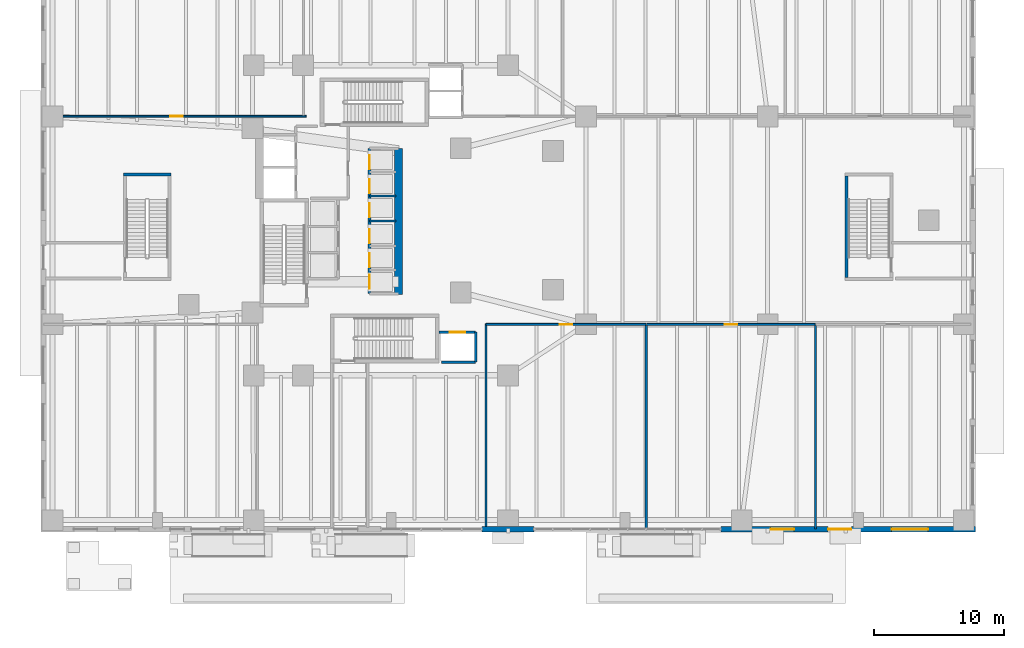
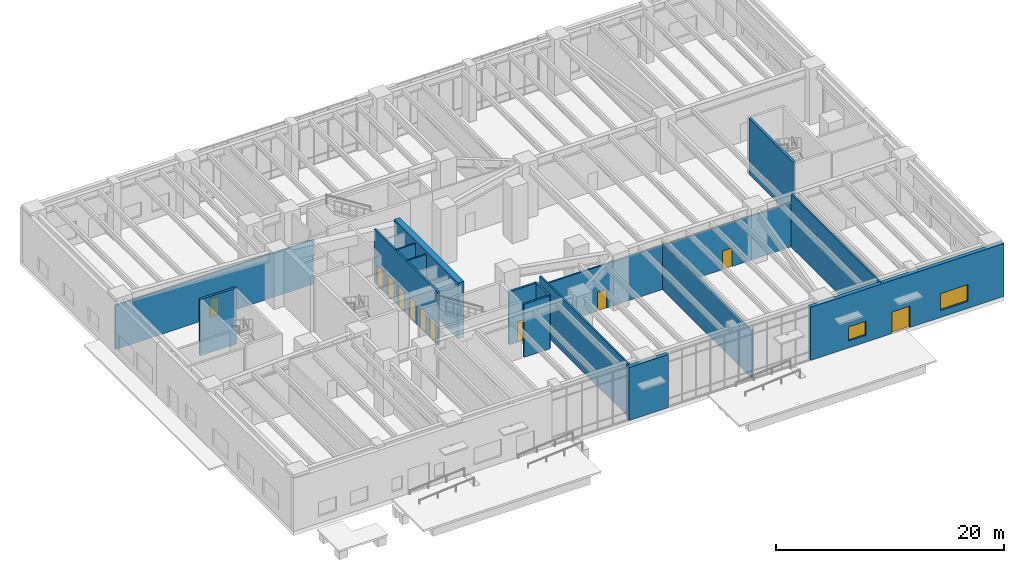
# One storey, part 20 of 28: 17 walls, 11 doors, 2 windows, 13 openings.
"""IFC4 building model written with IfcOpenShell, lengths in metres."""

from ifc_helpers import new_model, si_unit, direction, frame, frame_2d, origin, place, context, subcontext, project, spatial, rectangle, extrude, material, layer, layer_set, type_object, element, fill, save


model = new_model("IFC4")

# Units and contexts
model_context = context("Model", 3, precision=1e-05, world=origin(), true_north=direction((0.0, 1.0)))
body_context = subcontext(model_context, "Body", "Model", "MODEL_VIEW")
ifc_project = project(units=[si_unit("LENGTHUNIT", "METRE"), si_unit("AREAUNIT", "SQUARE_METRE"), si_unit("VOLUMEUNIT", "CUBIC_METRE"), si_unit("PLANEANGLEUNIT", "RADIAN"), si_unit("MASSUNIT", "GRAM", prefix="KILO"), si_unit("THERMODYNAMICTEMPERATUREUNIT", "KELVIN"), si_unit("POWERUNIT", "WATT")], contexts=[model_context])

# Site, building, storey
site_placement = place(None, origin())
site = spatial("IfcSite", under=ifc_project, at=site_placement, CompositionType="ELEMENT")
building_placement = place(site_placement, origin())
building = spatial("IfcBuilding", under=site, at=building_placement, Name="Skarre Station Tower", CompositionType="ELEMENT")
storey_placement = place(building_placement, origin())
storey = spatial("IfcBuildingStorey", under=building, at=storey_placement, Name="L01", CompositionType="ELEMENT", Elevation=0.0)

# Wall, opening, door
ifc_material_1 = material(Name="Acoustic Steel-Stud Gypsum Partition", Category="steel")
ifc_layer_1 = layer(ifc_material_1, 0.14990234375, Name="Acoustic Steel-Stud Gypsum Partition")
ifc_layer_set_1 = layer_set([ifc_layer_1], Name="Acoustic Steel-Stud Gypsum Partition")
wall_type_1 = type_object("IfcWallType", Name="Fire-Rated Corridor Acoustic Partition 150", PredefinedType="PARTITIONING", material=ifc_layer_set_1)
wall_1_placement = place(storey_placement, frame((34.300048828125, 15.97998046875, 0.0), z_axis=(0.0, 0.0, 1.0), x_axis=(1.0, 0.0, 0.0)))
wall_1 = element("IfcWall", 1, at=wall_1_placement, inside=storey, type_object=wall_type_1, Name="L01 Interior Partition WL-PT-L01-PDSE1-CW", PredefinedType="PARTITIONING", context=body_context, shape_type="SweptSolid", body=[
    extrude(rectangle(XDim=12.31201171875, YDim=0.14990234375, at=frame_2d((6.156005859375, 0.0))), origin(), (0.0, 0.0, 1.0), 4.741943359375),
])
opening_1_placement = place(wall_1_placement, frame((5.676025390625, 0.0, 0.0)))
opening_1 = element("IfcOpeningElement", 2, at=opening_1_placement, cuts=wall_1, Name="Opening DR-FD60", PredefinedType="OPENING", context=body_context, shape_type="SweptSolid", body=[
    extrude(rectangle(XDim=0.9599609375, YDim=2.0, at=frame_2d((0.47998046875, 1.0))), frame((0.0, 0.0849609375, 0.0), z_axis=(0.0, -1.0, 0.0), x_axis=(1.0, 0.0, 0.0)), (0.0, 0.0, 1.0), 0.169921875),
])
ifc_material_2 = material(Name="Nordic White-Oak Veneer Solid-Core Fire Leaf", Category="wood")
door_type_1 = type_object("IfcDoorType", Name="Corridor Suite Entry Fire Door FD60 960x2150", OperationType="SINGLE_SWING_LEFT", PredefinedType="DOOR", material=ifc_material_2)
door_1_placement = place(opening_1_placement, origin())
door_1 = element("IfcDoor", 3, at=door_1_placement, inside=storey, type_object=door_type_1, Name="L01 PDSE1 Entry Door", OperationType="SINGLE_SWING_LEFT", OverallHeight=2.0, OverallWidth=0.9599609375, PredefinedType="DOOR", context=body_context, shape_type="SweptSolid", body=[
    extrude(rectangle(XDim=0.9599609375, YDim=2.0, at=frame_2d((0.47998046875, 1.0))), frame((0.0, 0.02490234375, 0.0), z_axis=(0.0, -1.0, 0.0), x_axis=(1.0, 0.0, 0.0)), (0.0, 0.0, 1.0), 0.050048828125),
])
fill(opening_1, door_1)

wall_2_placement = place(storey_placement, frame((46.6640625, 15.97998046875, 0.0), z_axis=(0.0, 0.0, 1.0), x_axis=(1.0, 0.0, 0.0)))
wall_2 = element("IfcWall", 4, at=wall_2_placement, inside=storey, type_object=wall_type_1, Name="L01 Interior Partition WL-PT-L01-PDSE2-CW", PredefinedType="PARTITIONING", context=body_context, shape_type="SweptSolid", body=[
    extrude(rectangle(XDim=12.988037109375, YDim=0.14990234375, at=frame_2d((6.494140625, 0.0))), origin(), (0.0, 0.0, 1.0), 4.741943359375),
])
opening_2_placement = place(wall_2_placement, frame((6.013916015625, 0.0, 0.0)))
opening_2 = element("IfcOpeningElement", 5, at=opening_2_placement, cuts=wall_2, Name="Opening DR-FD60", PredefinedType="OPENING", context=body_context, shape_type="SweptSolid", body=[
    extrude(rectangle(XDim=0.9599609375, YDim=2.0, at=frame_2d((0.47998046875, 1.0))), frame((0.0, 0.0849609375, 0.0), z_axis=(0.0, -1.0, 0.0), x_axis=(1.0, 0.0, 0.0)), (0.0, 0.0, 1.0), 0.169921875),
])
door_2_placement = place(opening_2_placement, origin())
door_2 = element("IfcDoor", 6, at=door_2_placement, inside=storey, type_object=door_type_1, Name="L01 PDSE2 Entry Door", OperationType="SINGLE_SWING_LEFT", OverallHeight=2.0, OverallWidth=0.9599609375, PredefinedType="DOOR", context=body_context, shape_type="SweptSolid", body=[
    extrude(rectangle(XDim=0.9599609375, YDim=2.0, at=frame_2d((0.47998046875, 1.0))), frame((0.0, 0.02490234375, 0.0), z_axis=(0.0, -1.0, 0.0), x_axis=(1.0, 0.0, 0.0)), (0.0, 0.0, 1.0), 0.050048828125),
])
fill(opening_2, door_2)

wall_3_placement = place(storey_placement, frame((20.449951171875, 32.02001953125, 0.0), z_axis=(0.0, 0.0, 1.0), x_axis=(-1.0, 0.0, 0.0)))
wall_3 = element("IfcWall", 7, at=wall_3_placement, inside=storey, type_object=wall_type_1, Name="L01 Interior Partition WL-PT-L01-PDN1-CW", PredefinedType="PARTITIONING", context=body_context, shape_type="SweptSolid", body=[
    extrude(rectangle(XDim=20.054931640625, YDim=0.14990234375, at=frame_2d((10.02734375, 0.0))), origin(), (0.0, 0.0, 1.0), 4.741943359375),
])
opening_3_placement = place(wall_3_placement, frame((9.5, 0.0, 0.0)))
opening_3 = element("IfcOpeningElement", 8, at=opening_3_placement, cuts=wall_3, Name="Opening DR-FD60", PredefinedType="OPENING", context=body_context, shape_type="SweptSolid", body=[
    extrude(rectangle(XDim=0.9599609375, YDim=2.0, at=frame_2d((0.47998046875, 1.0))), frame((0.0, 0.0849609375, 0.0), z_axis=(0.0, -1.0, 0.0), x_axis=(1.0, 0.0, 0.0)), (0.0, 0.0, 1.0), 0.169921875),
])
door_3_placement = place(opening_3_placement, origin())
door_3 = element("IfcDoor", 9, at=door_3_placement, inside=storey, type_object=door_type_1, Name="L01 PDN1 Entry Door", OperationType="SINGLE_SWING_LEFT", OverallHeight=2.0, OverallWidth=0.9599609375, PredefinedType="DOOR", context=body_context, shape_type="SweptSolid", body=[
    extrude(rectangle(XDim=0.9599609375, YDim=2.0, at=frame_2d((0.47998046875, 1.0))), frame((0.0, 0.02490234375, 0.0), z_axis=(0.0, -1.0, 0.0), x_axis=(1.0, 0.0, 0.0)), (0.0, 0.0, 1.0), 0.050048828125),
])
fill(opening_3, door_3)

# Wall, openings, door, windows
ifc_material_3 = material(Name="Precast concrete C45/55", Category="concrete")
ifc_layer_2 = layer(ifc_material_3, 0.39990234375, Name="Precast concrete C45/55")
ifc_layer_set_2 = layer_set([ifc_layer_2], Name="Precast concrete C45/55")
wall_type_2 = type_object("IfcWallType", Name="Nordic Granite Station Podium Wall 400", PredefinedType="STANDARD", material=ifc_layer_set_2)
wall_4_placement = place(storey_placement, frame((72.0, 0.199951171875, 0.0), z_axis=(0.0, 0.0, 1.0), x_axis=(-1.0, 0.0, 0.0)))
wall_4 = element("IfcWall", 10, at=wall_4_placement, inside=storey, type_object=wall_type_2, Name="L01 South Podium Granite Wall SA", PredefinedType="STANDARD", context=body_context, shape_type="SweptSolid", body=[
    extrude(rectangle(XDim=19.60009765625, YDim=0.39990234375, at=frame_2d((9.800048828125, 0.0))), origin(), (0.0, 0.0, 1.0), 5.68994140625),
])
opening_4_placement = place(wall_4_placement, frame((9.550048828125, 0.0, 0.0)))
opening_4 = element("IfcOpeningElement", 11, at=opening_4_placement, cuts=wall_4, Name="Opening DR-EXIT180", PredefinedType="OPENING", context=body_context, shape_type="SweptSolid", body=[
    extrude(rectangle(XDim=1.800048828125, YDim=2.300048828125, at=frame_2d((0.89990234375, 1.14990234375))), frame((0.0, 0.2099609375, 0.0), z_axis=(0.0, -1.0, 0.0), x_axis=(1.0, 0.0, 0.0)), (0.0, 0.0, 1.0), 0.419921875),
])
opening_5_placement = place(wall_4_placement, frame((3.64990234375, 0.0, 0.75)))
opening_5 = element("IfcOpeningElement", 12, at=opening_5_placement, cuts=wall_4, Name="Opening WN-POD", PredefinedType="OPENING", context=body_context, shape_type="SweptSolid", body=[
    extrude(rectangle(XDim=2.800048828125, YDim=1.800048828125, at=frame_2d((1.39990234375, 0.89990234375))), frame((0.0, 0.2099609375, 0.0), z_axis=(0.0, -1.0, 0.0), x_axis=(1.0, 0.0, 0.0)), (0.0, 0.0, 1.0), 0.419921875),
])
opening_6_placement = place(wall_4_placement, frame((13.971923828125, 0.0, 0.75)))
opening_6 = element("IfcOpeningElement", 13, at=opening_6_placement, cuts=wall_4, Name="Opening WN-Z1A", PredefinedType="OPENING", context=body_context, shape_type="SweptSolid", body=[
    extrude(rectangle(XDim=1.800048828125, YDim=1.5, at=frame_2d((0.89990234375, 0.75))), frame((0.0, 0.2099609375, 0.0), z_axis=(0.0, -1.0, 0.0), x_axis=(1.0, 0.0, 0.0)), (0.0, 0.0, 1.0), 0.419921875),
])
ifc_material_4 = material(Name="Insulated Galvanized Steel Hollow-Metal Door", Category="steel")
door_type_2 = type_object("IfcDoorType", Name="Concourse Emergency Exit Discharge Door 1800x2300", OperationType="DOUBLE_DOOR_SINGLE_SWING", PredefinedType="DOOR", material=ifc_material_4)
door_4_placement = place(opening_4_placement, origin())
door_4 = element("IfcDoor", 14, at=door_4_placement, inside=storey, type_object=door_type_2, Name="L01 South East Concourse Exit Discharge Door", OperationType="SINGLE_SWING_LEFT", OverallHeight=2.300048828125, OverallWidth=1.800048828125, PredefinedType="DOOR", context=body_context, shape_type="SweptSolid", body=[
    extrude(rectangle(XDim=1.800048828125, YDim=2.300048828125, at=frame_2d((0.89990234375, 1.14990234375))), frame((0.0, 0.02490234375, 0.0), z_axis=(0.0, -1.0, 0.0), x_axis=(1.0, 0.0, 0.0)), (0.0, 0.0, 1.0), 0.050048828125),
])
fill(opening_4, door_4)
ifc_material_5 = material(Name="Low-Iron Triple Glazing with Bronze Anodized Frame", Category="glass")
window_type_1 = type_object("IfcWindowType", Name="Nordic Punched Triple-Glazed Window 1800x1500", PartitioningType="SINGLE_PANEL", PredefinedType="WINDOW", material=ifc_material_5)
window_1_placement = place(opening_6_placement, origin())
window_1 = element("IfcWindow", 15, at=window_1_placement, inside=storey, type_object=window_type_1, Name="L01 Facade Window WL-POD-L01-SA-2", OverallHeight=1.5, OverallWidth=1.800048828125, PartitioningType="SINGLE_PANEL", PredefinedType="WINDOW", context=body_context, shape_type="SweptSolid", body=[
    extrude(rectangle(XDim=1.800048828125, YDim=1.5, at=frame_2d((0.89990234375, 0.75))), frame((0.0, 0.030029296875, 0.0), z_axis=(0.0, -1.0, 0.0), x_axis=(1.0, 0.0, 0.0)), (0.0, 0.0, 1.0), 0.06005859375),
])
fill(opening_6, window_1)
window_type_2 = type_object("IfcWindowType", Name="Podium Clerestory Ribbon Window 2800x1800", PartitioningType="SINGLE_PANEL", PredefinedType="WINDOW", material=ifc_material_5)
window_2_placement = place(opening_5_placement, origin())
window_2 = element("IfcWindow", 16, at=window_2_placement, inside=storey, type_object=window_type_2, Name="L01 Facade Window WL-POD-L01-SA-1", OverallHeight=1.800048828125, OverallWidth=2.800048828125, PartitioningType="SINGLE_PANEL", PredefinedType="WINDOW", context=body_context, shape_type="SweptSolid", body=[
    extrude(rectangle(XDim=2.800048828125, YDim=1.800048828125, at=frame_2d((1.39990234375, 0.89990234375))), frame((0.0, 0.030029296875, 0.0), z_axis=(0.0, -1.0, 0.0), x_axis=(1.0, 0.0, 0.0)), (0.0, 0.0, 1.0), 0.06005859375),
])
fill(opening_5, window_2)

# Walls
wall_5_placement = place(storey_placement, frame((38.0, 0.199951171875, 0.0), z_axis=(0.0, 0.0, 1.0), x_axis=(-1.0, 0.0, 0.0)))
element("IfcWall", 17, at=wall_5_placement, inside=storey, type_object=wall_type_2, Name="L01 South Podium Granite Wall SB", PredefinedType="STANDARD", context=body_context, shape_type="SweptSolid", body=[
    extrude(rectangle(XDim=4.0, YDim=0.39990234375, at=frame_2d((2.0, 0.0))), origin(), (0.0, 0.0, 1.0), 5.68994140625),
])
ifc_material_6 = material(Name="Concrete C50/60", Category="concrete")
ifc_layer_3 = layer(ifc_material_6, 0.239990234375, Name="Concrete C50/60")
ifc_layer_set_3 = layer_set([ifc_layer_3], Name="Concrete C50/60")
wall_type_3 = type_object("IfcWallType", Name="RC Core Shear Wall 240", PredefinedType="SHEAR", material=ifc_layer_set_3)
wall_6_placement = place(storey_placement, frame((10.0400390625, 27.52001953125, 0.0), z_axis=(0.0, 0.0, 1.0), x_axis=(-1.0, 0.0, 0.0)))
element("IfcWall", 18, at=wall_6_placement, inside=storey, type_object=wall_type_3, Name="L01 Podium Stair ST-4 North Shear Wall", PredefinedType="SHEAR", context=body_context, shape_type="SweptSolid", body=[
    extrude(rectangle(XDim=3.679931640625, YDim=0.239990234375, at=frame_2d((1.83984375, 0.0))), origin(), (0.0, 0.0, 1.0), 6.0),
])
wall_7_placement = place(storey_placement, frame((62.080078125, 27.39990234375, 0.0), z_axis=(0.0, 0.0, 1.0), x_axis=(0.0, -1.0, 0.0)))
element("IfcWall", 19, at=wall_7_placement, inside=storey, type_object=wall_type_3, Name="L01 Podium Stair ST-5 West Shear Wall", PredefinedType="SHEAR", context=body_context, shape_type="SweptSolid", body=[
    extrude(rectangle(XDim=7.7998046875, YDim=0.239990234375, at=frame_2d((3.89990234375, 0.0))), origin(), (0.0, 0.0, 1.0), 6.0),
])
ifc_material_7 = material(Name="Concrete C70/85", Category="concrete")
ifc_layer_4 = layer(ifc_material_7, 0.60009765625, Name="Concrete C70/85")
ifc_layer_set_4 = layer_set([ifc_layer_4], Name="Concrete C70/85")
wall_type_4 = type_object("IfcWallType", Name="RC Core Shear Wall 600", PredefinedType="SHEAR", material=ifc_layer_set_4)
wall_8_placement = place(storey_placement, frame((27.550048828125, 29.550048828125, 0.0), z_axis=(0.0, 0.0, 1.0), x_axis=(0.0, -1.0, 0.0)))
element("IfcWall", 20, at=wall_8_placement, inside=storey, type_object=wall_type_4, Name="L01 Core East Atrium Shear Wall", PredefinedType="SHEAR", context=body_context, shape_type="SweptSolid", body=[
    extrude(rectangle(XDim=11.25, YDim=0.60009765625, at=frame_2d((5.625, 0.0))), origin(), (0.0, 0.0, 1.0), 6.0),
])

# Wall, opening, door
ifc_material_8 = material(Name="Gypsum Concrete Shaft Assembly C30/37", Category="concrete")
ifc_layer_5 = layer(ifc_material_8, 0.199951171875, Name="Gypsum Concrete Shaft Assembly C30/37")
ifc_layer_set_5 = layer_set([ifc_layer_5], Name="Gypsum Concrete Shaft Assembly C30/37")
wall_type_5 = type_object("IfcWallType", Name="Shaft & Core Fire Partition 200", PredefinedType="PARTITIONING", material=ifc_layer_set_5)
wall_9_placement = place(storey_placement, frame((33.5, 15.3798828125, 0.0), z_axis=(0.0, 0.0, 1.0), x_axis=(-1.0, 0.0, 0.0)))
wall_9 = element("IfcWall", 21, at=wall_9_placement, inside=storey, type_object=wall_type_5, Name="L01 Interior Partition WL-PT-L01-SV1-N", PredefinedType="PARTITIONING", context=body_context, shape_type="SweptSolid", body=[
    extrude(rectangle(XDim=2.820068359375, YDim=0.199951171875, at=frame_2d((1.41015625, 0.0))), origin(), (0.0, 0.0, 1.0), 5.68994140625),
])
opening_7_placement = place(wall_9_placement, frame((0.800048828125, 0.0, 0.0)))
opening_7 = element("IfcOpeningElement", 22, at=opening_7_placement, cuts=wall_9, Name="Opening LD-SV1", PredefinedType="OPENING", context=body_context, shape_type="SweptSolid", body=[
    extrude(rectangle(XDim=1.199951171875, YDim=2.199951171875, at=frame_2d((0.60009765625, 1.10009765625))), frame((0.0, 0.10986328125, 0.0), z_axis=(0.0, -1.0, 0.0), x_axis=(1.0, 0.0, 0.0)), (0.0, 0.0, 1.0), 0.219970703125),
])
ifc_material_9 = material(Name="Heavy-Gauge Brushed Stainless Steel Sliding Leaves", Category="steel")
door_type_3 = type_object("IfcDoorType", Name="Service Elevator Wide Sliding Landing Door 1200x2200", OperationType="SLIDING_TO_RIGHT", PredefinedType="DOOR", material=ifc_material_9)
door_5_placement = place(opening_7_placement, origin())
door_5 = element("IfcDoor", 23, at=door_5_placement, inside=storey, type_object=door_type_3, Name="L01 Service Lift LF-SV1 Landing Door", OperationType="SLIDING_TO_RIGHT", OverallHeight=2.199951171875, OverallWidth=1.199951171875, PredefinedType="DOOR", context=body_context, shape_type="SweptSolid", body=[
    extrude(rectangle(XDim=1.199951171875, YDim=2.199951171875, at=frame_2d((0.60009765625, 1.10009765625))), frame((0.0, 0.02490234375, 0.0), z_axis=(0.0, -1.0, 0.0), x_axis=(1.0, 0.0, 0.0)), (0.0, 0.0, 1.0), 0.050048828125),
])
fill(opening_7, door_5)

# Walls
wall_10_placement = place(storey_placement, frame((33.5, 13.080078125, 0.0), z_axis=(0.0, 0.0, 1.0), x_axis=(0.0, 1.0, 0.0)))
element("IfcWall", 24, at=wall_10_placement, inside=storey, type_object=wall_type_5, Name="L01 Interior Partition WL-PT-L01-SV1-E", PredefinedType="PARTITIONING", context=body_context, shape_type="SweptSolid", body=[
    extrude(rectangle(XDim=2.2998046875, YDim=0.199951171875, at=frame_2d((1.14990234375, 0.0))), origin(), (0.0, 0.0, 1.0), 5.68994140625),
])
wall_11_placement = place(storey_placement, frame((30.87890625, 13.080078125, 0.0), z_axis=(0.0, 0.0, 1.0), x_axis=(1.0, 0.0, 0.0)))
element("IfcWall", 25, at=wall_11_placement, inside=storey, type_object=wall_type_5, Name="L01 Interior Partition WL-PT-L01-SV1-S", PredefinedType="PARTITIONING", context=body_context, shape_type="SweptSolid", body=[
    extrude(rectangle(XDim=2.62109375, YDim=0.199951171875, at=frame_2d((1.310546875, 0.0))), origin(), (0.0, 0.0, 1.0), 5.68994140625),
])

# Wall, openings, doors
wall_12_placement = place(storey_placement, frame((25.320068359375, 29.550048828125, 0.0), z_axis=(0.0, 0.0, 1.0), x_axis=(0.0, -1.0, 0.0)))
wall_12 = element("IfcWall", 26, at=wall_12_placement, inside=storey, type_object=wall_type_5, Name="L01 Interior Partition WL-PT-L01-B12-W", PredefinedType="PARTITIONING", context=body_context, shape_type="SweptSolid", body=[
    extrude(rectangle(XDim=11.18994140625, YDim=0.199951171875, at=frame_2d((5.594970703125, 0.0))), origin(), (0.0, 0.0, 1.0), 5.68994140625),
])
opening_8_placement = place(wall_12_placement, frame((0.52001953125, 0.0, 0.0)))
opening_8 = element("IfcOpeningElement", 27, at=opening_8_placement, cuts=wall_12, Name="Opening LD-P6", PredefinedType="OPENING", context=body_context, shape_type="SweptSolid", body=[
    extrude(rectangle(XDim=1.10009765625, YDim=2.199951171875, at=frame_2d((0.550048828125, 1.10009765625))), frame((0.0, 0.10986328125, 0.0), z_axis=(0.0, -1.0, 0.0), x_axis=(1.0, 0.0, 0.0)), (0.0, 0.0, 1.0), 0.219970703125),
])
opening_9_placement = place(wall_12_placement, frame((2.3701171875, 0.0, 0.0)))
opening_9 = element("IfcOpeningElement", 28, at=opening_9_placement, cuts=wall_12, Name="Opening LD-P5", PredefinedType="OPENING", context=body_context, shape_type="SweptSolid", body=[
    extrude(rectangle(XDim=1.10009765625, YDim=2.199951171875, at=frame_2d((0.550048828125, 1.10009765625))), frame((0.0, 0.10986328125, 0.0), z_axis=(0.0, -1.0, 0.0), x_axis=(1.0, 0.0, 0.0)), (0.0, 0.0, 1.0), 0.219970703125),
])
opening_10_placement = place(wall_12_placement, frame((4.219970703125, 0.0, 0.0)))
opening_10 = element("IfcOpeningElement", 29, at=opening_10_placement, cuts=wall_12, Name="Opening LD-P4", PredefinedType="OPENING", context=body_context, shape_type="SweptSolid", body=[
    extrude(rectangle(XDim=1.10009765625, YDim=2.199951171875, at=frame_2d((0.550048828125, 1.10009765625))), frame((0.0, 0.10986328125, 0.0), z_axis=(0.0, -1.0, 0.0), x_axis=(1.0, 0.0, 0.0)), (0.0, 0.0, 1.0), 0.219970703125),
])
opening_11_placement = place(wall_12_placement, frame((6.219970703125, 0.0, 0.0)))
opening_11 = element("IfcOpeningElement", 30, at=opening_11_placement, cuts=wall_12, Name="Opening LD-P3", PredefinedType="OPENING", context=body_context, shape_type="SweptSolid", body=[
    extrude(rectangle(XDim=1.10009765625, YDim=2.199951171875, at=frame_2d((0.550048828125, 1.10009765625))), frame((0.0, 0.10986328125, 0.0), z_axis=(0.0, -1.0, 0.0), x_axis=(1.0, 0.0, 0.0)), (0.0, 0.0, 1.0), 0.219970703125),
])
opening_12_placement = place(wall_12_placement, frame((8.070068359375, 0.0, 0.0)))
opening_12 = element("IfcOpeningElement", 31, at=opening_12_placement, cuts=wall_12, Name="Opening LD-P2", PredefinedType="OPENING", context=body_context, shape_type="SweptSolid", body=[
    extrude(rectangle(XDim=1.10009765625, YDim=2.199951171875, at=frame_2d((0.550048828125, 1.10009765625))), frame((0.0, 0.10986328125, 0.0), z_axis=(0.0, -1.0, 0.0), x_axis=(1.0, 0.0, 0.0)), (0.0, 0.0, 1.0), 0.219970703125),
])
opening_13_placement = place(wall_12_placement, frame((9.72998046875, 0.0, 0.0)))
opening_13 = element("IfcOpeningElement", 32, at=opening_13_placement, cuts=wall_12, Name="Opening LD-P1", PredefinedType="OPENING", context=body_context, shape_type="SweptSolid", body=[
    extrude(rectangle(XDim=1.10009765625, YDim=2.199951171875, at=frame_2d((0.550048828125, 1.10009765625))), frame((0.0, 0.10986328125, 0.0), z_axis=(0.0, -1.0, 0.0), x_axis=(1.0, 0.0, 0.0)), (0.0, 0.0, 1.0), 0.219970703125),
])
ifc_material_10 = material(Name="Brushed Bronze Stainless Steel Sliding Leaves", Category="steel")
door_type_4 = type_object("IfcDoorType", Name="Passenger Elevator Center-Parting Sliding Door 1100x2200", OperationType="SLIDING_TO_LEFT", PredefinedType="DOOR", material=ifc_material_10)
door_6_placement = place(opening_8_placement, origin())
door_6 = element("IfcDoor", 33, at=door_6_placement, inside=storey, type_object=door_type_4, Name="L01 Passenger Lift LF-P6 Landing Door", OperationType="SLIDING_TO_LEFT", OverallHeight=2.199951171875, OverallWidth=1.10009765625, PredefinedType="DOOR", context=body_context, shape_type="SweptSolid", body=[
    extrude(rectangle(XDim=1.10009765625, YDim=2.199951171875, at=frame_2d((0.550048828125, 1.10009765625))), frame((0.0, 0.02490234375, 0.0), z_axis=(0.0, -1.0, 0.0), x_axis=(1.0, 0.0, 0.0)), (0.0, 0.0, 1.0), 0.050048828125),
])
fill(opening_8, door_6)
door_7_placement = place(opening_9_placement, origin())
door_7 = element("IfcDoor", 34, at=door_7_placement, inside=storey, type_object=door_type_4, Name="L01 Passenger Lift LF-P5 Landing Door", OperationType="SLIDING_TO_LEFT", OverallHeight=2.199951171875, OverallWidth=1.10009765625, PredefinedType="DOOR", context=body_context, shape_type="SweptSolid", body=[
    extrude(rectangle(XDim=1.10009765625, YDim=2.199951171875, at=frame_2d((0.550048828125, 1.10009765625))), frame((0.0, 0.02490234375, 0.0), z_axis=(0.0, -1.0, 0.0), x_axis=(1.0, 0.0, 0.0)), (0.0, 0.0, 1.0), 0.050048828125),
])
fill(opening_9, door_7)
door_8_placement = place(opening_10_placement, origin())
door_8 = element("IfcDoor", 35, at=door_8_placement, inside=storey, type_object=door_type_4, Name="L01 Passenger Lift LF-P4 Landing Door", OperationType="SLIDING_TO_LEFT", OverallHeight=2.199951171875, OverallWidth=1.10009765625, PredefinedType="DOOR", context=body_context, shape_type="SweptSolid", body=[
    extrude(rectangle(XDim=1.10009765625, YDim=2.199951171875, at=frame_2d((0.550048828125, 1.10009765625))), frame((0.0, 0.02490234375, 0.0), z_axis=(0.0, -1.0, 0.0), x_axis=(1.0, 0.0, 0.0)), (0.0, 0.0, 1.0), 0.050048828125),
])
fill(opening_10, door_8)
door_9_placement = place(opening_11_placement, origin())
door_9 = element("IfcDoor", 36, at=door_9_placement, inside=storey, type_object=door_type_4, Name="L01 Passenger Lift LF-P3 Landing Door", OperationType="SLIDING_TO_LEFT", OverallHeight=2.199951171875, OverallWidth=1.10009765625, PredefinedType="DOOR", context=body_context, shape_type="SweptSolid", body=[
    extrude(rectangle(XDim=1.10009765625, YDim=2.199951171875, at=frame_2d((0.550048828125, 1.10009765625))), frame((0.0, 0.02490234375, 0.0), z_axis=(0.0, -1.0, 0.0), x_axis=(1.0, 0.0, 0.0)), (0.0, 0.0, 1.0), 0.050048828125),
])
fill(opening_11, door_9)
door_10_placement = place(opening_12_placement, origin())
door_10 = element("IfcDoor", 37, at=door_10_placement, inside=storey, type_object=door_type_4, Name="L01 Passenger Lift LF-P2 Landing Door", OperationType="SLIDING_TO_LEFT", OverallHeight=2.199951171875, OverallWidth=1.10009765625, PredefinedType="DOOR", context=body_context, shape_type="SweptSolid", body=[
    extrude(rectangle(XDim=1.10009765625, YDim=2.199951171875, at=frame_2d((0.550048828125, 1.10009765625))), frame((0.0, 0.02490234375, 0.0), z_axis=(0.0, -1.0, 0.0), x_axis=(1.0, 0.0, 0.0)), (0.0, 0.0, 1.0), 0.050048828125),
])
fill(opening_12, door_10)
door_11_placement = place(opening_13_placement, origin())
door_11 = element("IfcDoor", 38, at=door_11_placement, inside=storey, type_object=door_type_4, Name="L01 Passenger Lift LF-P1 Landing Door", OperationType="SLIDING_TO_LEFT", OverallHeight=2.199951171875, OverallWidth=1.10009765625, PredefinedType="DOOR", context=body_context, shape_type="SweptSolid", body=[
    extrude(rectangle(XDim=1.10009765625, YDim=2.199951171875, at=frame_2d((0.550048828125, 1.10009765625))), frame((0.0, 0.02490234375, 0.0), z_axis=(0.0, -1.0, 0.0), x_axis=(1.0, 0.0, 0.0)), (0.0, 0.0, 1.0), 0.050048828125),
])
fill(opening_13, door_11)

# Walls
for number, where, z_axis, x_axis, name in (
    (39, (25.320068359375, 23.949951171875, 0.0), (0.0, 0.0, 1.0), (1.0, 0.0, 0.0), "L01 Interior Partition WL-PT-L01-B12-D239"),
    (40, (25.320068359375, 25.8701171875, 0.0), (0.0, 0.0, 1.0), (1.0, 0.0, 0.0), "L01 Interior Partition WL-PT-L01-B12-D258"),
):
    element("IfcWall", number, at=place(storey_placement, frame(where, z_axis=z_axis, x_axis=x_axis)), inside=storey, type_object=wall_type_5, Name=name, PredefinedType="PARTITIONING", context=body_context, shape_type="SweptSolid", body=[
        extrude(rectangle(XDim=2.030029296875, YDim=0.159912109375, at=frame_2d((1.01513671875, 0.0))), origin(), (0.0, 0.0, 1.0), 5.68994140625),
    ])
ifc_layer_6 = layer(ifc_material_1, 0.1650390625, Name="Acoustic Steel-Stud Gypsum Partition")
ifc_layer_set_6 = layer_set([ifc_layer_6], Name="Acoustic Steel-Stud Gypsum Partition")
wall_type_6 = type_object("IfcWallType", Name="Suite Demising Acoustic Partition 165", PredefinedType="PARTITIONING", material=ifc_layer_set_6)
wall_13_placement = place(storey_placement, frame((34.300048828125, 0.239990234375, 0.0), z_axis=(0.0, 0.0, 1.0), x_axis=(0.0, 1.0, 0.0)))
element("IfcWall", 41, at=wall_13_placement, inside=storey, type_object=wall_type_6, Name="L01 Interior Partition WL-PT-L01-PDSE-W", PredefinedType="PARTITIONING", context=body_context, shape_type="SweptSolid", body=[
    extrude(rectangle(XDim=15.81005859375, YDim=0.1650390625, at=frame_2d((7.905029296875, 0.0))), origin(), (0.0, 0.0, 1.0), 5.68994140625),
])
wall_14_placement = place(storey_placement, frame((46.637939453125, 0.22998046875, 0.0), z_axis=(0.0, 0.0, 1.0), x_axis=(0.0, 1.0, 0.0)))
element("IfcWall", 42, at=wall_14_placement, inside=storey, type_object=wall_type_6, Name="L01 Interior Partition WL-PT-L01-PDSE-P1", PredefinedType="PARTITIONING", context=body_context, shape_type="SweptSolid", body=[
    extrude(rectangle(XDim=15.679931640625, YDim=0.1650390625, at=frame_2d((7.83984375, 0.0))), origin(), (0.0, 0.0, 1.0), 5.08203125),
])
wall_15_placement = place(storey_placement, frame((59.677978515625, 0.22998046875, 0.0), z_axis=(0.0, 0.0, 1.0), x_axis=(0.0, 1.0, 0.0)))
element("IfcWall", 43, at=wall_15_placement, inside=storey, type_object=wall_type_6, Name="L01 Interior Partition WL-PT-L01-PDSE-P2", PredefinedType="PARTITIONING", context=body_context, shape_type="SweptSolid", body=[
    extrude(rectangle(XDim=15.679931640625, YDim=0.1650390625, at=frame_2d((7.83984375, 0.0))), origin(), (0.0, 0.0, 1.0), 5.68994140625),
])

save(model, "model.ifc")
